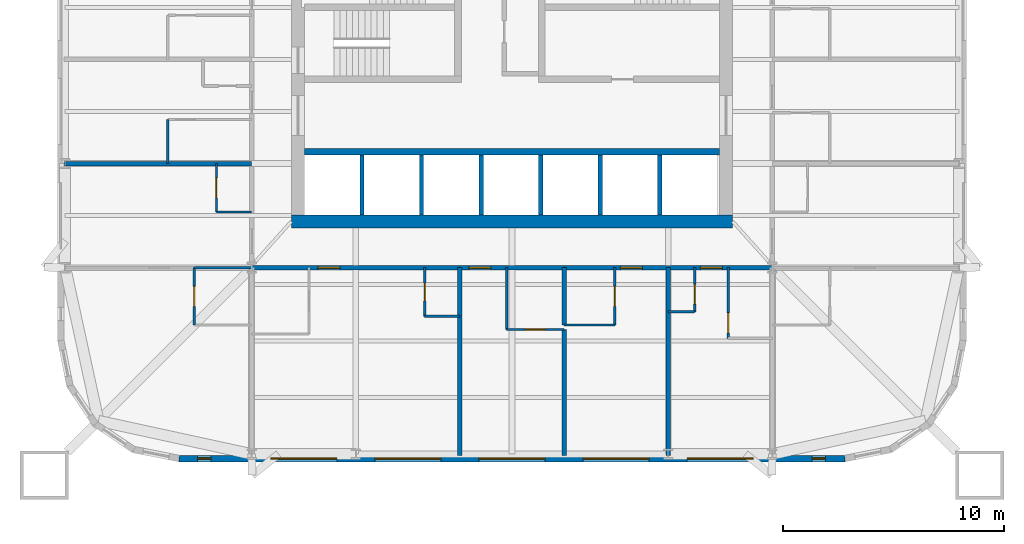
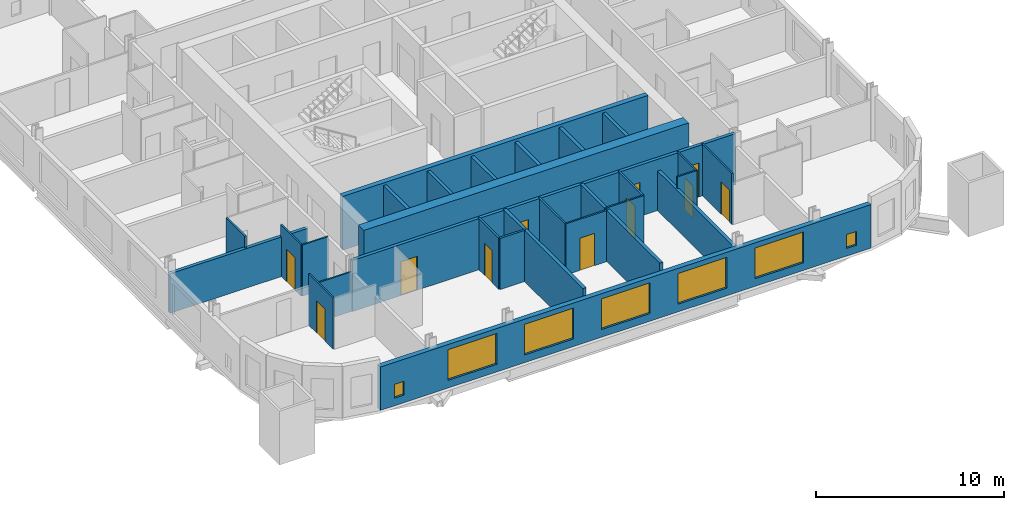
# One storey, part 3 of 9: 29 walls, 11 doors, 7 windows, 18 openings.
"""IFC4 building model written with IfcOpenShell, lengths in metres."""

from ifc_helpers import new_model, si_unit, direction, frame, frame_2d, origin, place, context, subcontext, project, spatial, rectangle, extrude, material, layer, layer_set, type_object, element, fill, save


model = new_model("IFC4")

# Units and contexts
model_context = context("Model", 3, precision=1e-05, world=origin(), true_north=direction((0.0, 1.0)))
body_context = subcontext(model_context, "Body", "Model", "MODEL_VIEW")
ifc_project = project(units=[si_unit("LENGTHUNIT", "METRE"), si_unit("AREAUNIT", "SQUARE_METRE"), si_unit("VOLUMEUNIT", "CUBIC_METRE"), si_unit("PLANEANGLEUNIT", "RADIAN"), si_unit("MASSUNIT", "GRAM", prefix="KILO")], contexts=[model_context])

# Site, building, storey
site_placement = place(None, origin())
site = spatial("IfcSite", under=ifc_project, at=site_placement, CompositionType="ELEMENT")
building_placement = place(site_placement, origin())
building = spatial("IfcBuilding", under=site, at=building_placement, Name="Turquesa Mirador Hotel Tower", CompositionType="ELEMENT")
storey_placement = place(building_placement, frame((0.0, 0.0, 142.39990234375)))
storey = spatial("IfcBuildingStorey", under=building, at=storey_placement, Name="L38", CompositionType="ELEMENT", Elevation=142.39990234375)

# Walls
ifc_material_1 = material(Name="Gypsum board on steel studs", Category="steel")
ifc_layer_1 = layer(ifc_material_1, 0.10009765625)
ifc_layer_set_1 = layer_set([ifc_layer_1], Name="BATHROOM WALL 100")
wall_type_1 = type_object("IfcWallType", Name="BATHROOM WALL 100", PredefinedType="PARTITIONING", material=ifc_layer_set_1)
wall_1_placement = place(storey_placement, frame((40.60009765625, 33.199951171875, 0.0), z_axis=(0.0, 0.0, 1.0), x_axis=(1.0, 0.0, 0.0)))
element("IfcWall", 1, at=wall_1_placement, inside=storey, type_object=wall_type_1, Name="Partition L38 003", PredefinedType="PARTITIONING", context=body_context, shape_type="SweptSolid", body=[
    extrude(rectangle(XDim=2.599853515625, YDim=0.10009765625, at=frame_2d((1.2998046875, 0.0))), origin(), (0.0, 0.0, 1.0), 2.5732421875),
])
wall_2_placement = place(storey_placement, frame((62.080078125, 31.199951171875, 0.0), z_axis=(0.0, 0.0, 1.0), x_axis=(1.0, 0.0, 0.0)))
element("IfcWall", 2, at=wall_2_placement, inside=storey, type_object=wall_type_1, Name="Partition L38 008", PredefinedType="PARTITIONING", context=body_context, shape_type="SweptSolid", body=[
    extrude(rectangle(XDim=1.199951171875, YDim=0.10009765625, at=frame_2d((0.60009765625, 0.0))), origin(), (0.0, 0.0, 1.0), 3.330078125),
])
wall_3_placement = place(storey_placement, frame((57.360107421875, 30.60009765625, 0.0), z_axis=(0.0, 0.0, 1.0), x_axis=(1.0, 0.0, 0.0)))
element("IfcWall", 3, at=wall_3_placement, inside=storey, type_object=wall_type_1, Name="Partition L38 011", PredefinedType="PARTITIONING", context=body_context, shape_type="SweptSolid", body=[
    extrude(rectangle(XDim=2.2998046875, YDim=0.10009765625, at=frame_2d((1.14990234375, 0.0))), origin(), (0.0, 0.0, 1.0), 3.330078125),
])

# Wall, opening, door
wall_4_placement = place(storey_placement, frame((54.760009765625, 30.39990234375, 0.0), z_axis=(0.0, 0.0, 1.0), x_axis=(1.0, 0.0, 0.0)))
wall_4 = element("IfcWall", 4, at=wall_4_placement, inside=storey, type_object=wall_type_1, Name="Partition L38 013", PredefinedType="PARTITIONING", context=body_context, shape_type="SweptSolid", body=[
    extrude(rectangle(XDim=2.60009765625, YDim=0.10009765625, at=frame_2d((1.300048828125, 0.0))), origin(), (0.0, 0.0, 1.0), 3.330078125),
])
opening_1_placement = place(wall_4_placement, frame((0.85009765625, 0.0, 0.0)))
opening_1 = element("IfcOpeningElement", 5, at=opening_1_placement, cuts=wall_4, Name="Opening D02", PredefinedType="OPENING", context=body_context, shape_type="SweptSolid", body=[
    extrude(rectangle(XDim=0.89990234375, YDim=2.10009765625, at=frame_2d((0.449951171875, 1.050048828125))), frame((0.0, 0.06005859375, 0.0), z_axis=(0.0, -1.0, 0.0), x_axis=(1.0, 0.0, 0.0)), (0.0, 0.0, 1.0), 0.1201171875),
])
ifc_material_2 = material(Name="Timber veneered door", Category="wood")
door_type_1 = type_object("IfcDoorType", Name="DOOR 900X2100 EN-SUITE", OperationType="SINGLE_SWING_RIGHT", PredefinedType="DOOR", material=ifc_material_2)
door_1_placement = place(opening_1_placement, origin())
door_1 = element("IfcDoor", 6, at=door_1_placement, inside=storey, type_object=door_type_1, Name="Door 3805B", OperationType="SINGLE_SWING_RIGHT", OverallHeight=2.10009765625, OverallWidth=0.89990234375, PredefinedType="DOOR", context=body_context, shape_type="SweptSolid", body=[
    extrude(rectangle(XDim=0.89990234375, YDim=2.10009765625, at=frame_2d((0.449951171875, 1.050048828125))), frame((0.0, 0.02490234375, 0.0), z_axis=(0.0, -1.0, 0.0), x_axis=(1.0, 0.0, 0.0)), (0.0, 0.0, 1.0), 0.050048828125),
])
fill(opening_1, door_1)

# Walls
wall_5_placement = place(storey_placement, frame((41.60009765625, 35.719970703125, 0.0), z_axis=(0.0, 0.0, 1.0), x_axis=(1.0, 0.0, 0.0)))
element("IfcWall", 7, at=wall_5_placement, inside=storey, type_object=wall_type_1, Name="Partition L38 023", PredefinedType="PARTITIONING", context=body_context, shape_type="SweptSolid", body=[
    extrude(rectangle(XDim=1.599853515625, YDim=0.10009765625, at=frame_2d((0.7998046875, 0.0))), origin(), (0.0, 0.0, 1.0), 3.330078125),
])
wall_6_placement = place(storey_placement, frame((54.760009765625, 30.39990234375, 0.0), z_axis=(0.0, 0.0, 1.0), x_axis=(0.0, 1.0, 0.0)))
element("IfcWall", 8, at=wall_6_placement, inside=storey, type_object=wall_type_1, Name="Partition L38 048", PredefinedType="PARTITIONING", context=body_context, shape_type="SweptSolid", body=[
    extrude(rectangle(XDim=2.800048828125, YDim=0.10009765625, at=frame_2d((1.39990234375, 0.0))), origin(), (0.0, 0.0, 1.0), 3.330078125),
])

# Wall, opening, door
wall_7_placement = place(storey_placement, frame((41.60009765625, 35.719970703125, 0.0), z_axis=(0.0, 0.0, 1.0), x_axis=(0.0, 1.0, 0.0)))
wall_7 = element("IfcWall", 9, at=wall_7_placement, inside=storey, type_object=wall_type_1, Name="Partition L38 054", PredefinedType="PARTITIONING", context=body_context, shape_type="SweptSolid", body=[
    extrude(rectangle(XDim=2.199951171875, YDim=0.10009765625, at=frame_2d((1.10009765625, 0.0))), origin(), (0.0, 0.0, 1.0), 3.330078125),
])
opening_2_placement = place(wall_7_placement, frame((0.64990234375, 0.0, 0.0)))
opening_2 = element("IfcOpeningElement", 10, at=opening_2_placement, cuts=wall_7, Name="Opening D06", PredefinedType="OPENING", context=body_context, shape_type="SweptSolid", body=[
    extrude(rectangle(XDim=0.89990234375, YDim=2.10009765625, at=frame_2d((0.449951171875, 1.050048828125))), frame((0.0, 0.06005859375, 0.0), z_axis=(0.0, -1.0, 0.0), x_axis=(1.0, 0.0, 0.0)), (0.0, 0.0, 1.0), 0.1201171875),
])
ifc_material_3 = material(Name="Laminate door", Category="wood")
door_type_2 = type_object("IfcDoorType", Name="DOOR 900X2100 WC", OperationType="SINGLE_SWING_LEFT", PredefinedType="DOOR", material=ifc_material_3)
door_2_placement = place(opening_2_placement, origin())
door_2 = element("IfcDoor", 11, at=door_2_placement, inside=storey, type_object=door_type_2, Name="Door 3816W", OperationType="SINGLE_SWING_LEFT", OverallHeight=2.10009765625, OverallWidth=0.89990234375, PredefinedType="DOOR", context=body_context, shape_type="SweptSolid", body=[
    extrude(rectangle(XDim=0.89990234375, YDim=2.10009765625, at=frame_2d((0.449951171875, 1.050048828125))), frame((0.0, 0.02490234375, 0.0), z_axis=(0.0, -1.0, 0.0), x_axis=(1.0, 0.0, 0.0)), (0.0, 0.0, 1.0), 0.050048828125),
])
fill(opening_2, door_2)

wall_8_placement = place(storey_placement, frame((40.60009765625, 30.60009765625, 0.0), z_axis=(0.0, 0.0, 1.0), x_axis=(0.0, 1.0, 0.0)))
wall_8 = element("IfcWall", 12, at=wall_8_placement, inside=storey, type_object=wall_type_1, Name="Partition L38 059", PredefinedType="PARTITIONING", context=body_context, shape_type="SweptSolid", body=[
    extrude(rectangle(XDim=2.599853515625, YDim=0.10009765625, at=frame_2d((1.2998046875, 0.0))), origin(), (0.0, 0.0, 1.0), 3.330078125),
])
opening_3_placement = place(wall_8_placement, frame((0.85009765625, 0.0, 0.0)))
opening_3 = element("IfcOpeningElement", 13, at=opening_3_placement, cuts=wall_8, Name="Opening D02", PredefinedType="OPENING", context=body_context, shape_type="SweptSolid", body=[
    extrude(rectangle(XDim=0.89990234375, YDim=2.10009765625, at=frame_2d((0.449951171875, 1.050048828125))), frame((0.0, 0.06005859375, 0.0), z_axis=(0.0, -1.0, 0.0), x_axis=(1.0, 0.0, 0.0)), (0.0, 0.0, 1.0), 0.1201171875),
])
door_3_placement = place(opening_3_placement, origin())
door_3 = element("IfcDoor", 14, at=door_3_placement, inside=storey, type_object=door_type_1, Name="Door 3816B", OperationType="SINGLE_SWING_RIGHT", OverallHeight=2.10009765625, OverallWidth=0.89990234375, PredefinedType="DOOR", context=body_context, shape_type="SweptSolid", body=[
    extrude(rectangle(XDim=0.89990234375, YDim=2.10009765625, at=frame_2d((0.449951171875, 1.050048828125))), frame((0.0, 0.02490234375, 0.0), z_axis=(0.0, -1.0, 0.0), x_axis=(1.0, 0.0, 0.0)), (0.0, 0.0, 1.0), 0.050048828125),
])
fill(opening_3, door_3)

# Wall
wall_9_placement = place(storey_placement, frame((39.39990234375, 37.919921875, 0.0), z_axis=(0.0, 0.0, 1.0), x_axis=(0.0, 1.0, 0.0)))
element("IfcWall", 15, at=wall_9_placement, inside=storey, type_object=wall_type_1, Name="Partition L38 062", PredefinedType="PARTITIONING", context=body_context, shape_type="SweptSolid", body=[
    extrude(rectangle(XDim=2.0, YDim=0.10009765625, at=frame_2d((1.0, 0.0))), origin(), (0.0, 0.0, 1.0), 3.330078125),
])

# Wall, opening, door
wall_10_placement = place(storey_placement, frame((59.659912109375, 30.60009765625, 0.0), z_axis=(0.0, 0.0, 1.0), x_axis=(0.0, 1.0, 0.0)))
wall_10 = element("IfcWall", 16, at=wall_10_placement, inside=storey, type_object=wall_type_1, Name="Partition L38 083", PredefinedType="PARTITIONING", context=body_context, shape_type="SweptSolid", body=[
    extrude(rectangle(XDim=2.599853515625, YDim=0.10009765625, at=frame_2d((1.2998046875, 0.0))), origin(), (0.0, 0.0, 1.0), 3.330078125),
])
opening_4_placement = place(wall_10_placement, frame((0.85009765625, 0.0, 0.0)))
opening_4 = element("IfcOpeningElement", 17, at=opening_4_placement, cuts=wall_10, Name="Opening D02", PredefinedType="OPENING", context=body_context, shape_type="SweptSolid", body=[
    extrude(rectangle(XDim=0.89990234375, YDim=2.10009765625, at=frame_2d((0.449951171875, 1.050048828125))), frame((0.0, 0.06005859375, 0.0), z_axis=(0.0, -1.0, 0.0), x_axis=(1.0, 0.0, 0.0)), (0.0, 0.0, 1.0), 0.1201171875),
])
door_4_placement = place(opening_4_placement, origin())
door_4 = element("IfcDoor", 18, at=door_4_placement, inside=storey, type_object=door_type_1, Name="Door 3806B", OperationType="SINGLE_SWING_RIGHT", OverallHeight=2.10009765625, OverallWidth=0.89990234375, PredefinedType="DOOR", context=body_context, shape_type="SweptSolid", body=[
    extrude(rectangle(XDim=0.89990234375, YDim=2.10009765625, at=frame_2d((0.449951171875, 1.050048828125))), frame((0.0, 0.02490234375, 0.0), z_axis=(0.0, -1.0, 0.0), x_axis=(1.0, 0.0, 0.0)), (0.0, 0.0, 1.0), 0.050048828125),
])
fill(opening_4, door_4)

wall_11_placement = place(storey_placement, frame((63.280029296875, 31.199951171875, 0.0), z_axis=(0.0, 0.0, 1.0), x_axis=(0.0, 1.0, 0.0)))
wall_11 = element("IfcWall", 19, at=wall_11_placement, inside=storey, type_object=wall_type_1, Name="Partition L38 086", PredefinedType="PARTITIONING", context=body_context, shape_type="SweptSolid", body=[
    extrude(rectangle(XDim=2.0, YDim=0.10009765625, at=frame_2d((1.0, 0.0))), origin(), (0.0, 0.0, 1.0), 3.330078125),
])
opening_5_placement = place(wall_11_placement, frame((0.35009765625, 0.0, 0.0)))
opening_5 = element("IfcOpeningElement", 20, at=opening_5_placement, cuts=wall_11, Name="Opening D06", PredefinedType="OPENING", context=body_context, shape_type="SweptSolid", body=[
    extrude(rectangle(XDim=0.89990234375, YDim=2.10009765625, at=frame_2d((0.449951171875, 1.050048828125))), frame((0.0, 0.06005859375, 0.0), z_axis=(0.0, -1.0, 0.0), x_axis=(1.0, 0.0, 0.0)), (0.0, 0.0, 1.0), 0.1201171875),
])
door_5_placement = place(opening_5_placement, origin())
door_5 = element("IfcDoor", 21, at=door_5_placement, inside=storey, type_object=door_type_2, Name="Door 3807W", OperationType="SINGLE_SWING_LEFT", OverallHeight=2.10009765625, OverallWidth=0.89990234375, PredefinedType="DOOR", context=body_context, shape_type="SweptSolid", body=[
    extrude(rectangle(XDim=0.89990234375, YDim=2.10009765625, at=frame_2d((0.449951171875, 1.050048828125))), frame((0.0, 0.02490234375, 0.0), z_axis=(0.0, -1.0, 0.0), x_axis=(1.0, 0.0, 0.0)), (0.0, 0.0, 1.0), 0.050048828125),
])
fill(opening_5, door_5)

wall_12_placement = place(storey_placement, frame((64.800048828125, 30.0, 0.0), z_axis=(0.0, 0.0, 1.0), x_axis=(0.0, 1.0, 0.0)))
wall_12 = element("IfcWall", 22, at=wall_12_placement, inside=storey, type_object=wall_type_1, Name="Partition L38 088", PredefinedType="PARTITIONING", context=body_context, shape_type="SweptSolid", body=[
    extrude(rectangle(XDim=3.199951171875, YDim=0.10009765625, at=frame_2d((1.60009765625, 0.0))), origin(), (0.0, 0.0, 1.0), 3.330078125),
])
opening_6_placement = place(wall_12_placement, frame((0.25, 0.0, 0.0)))
opening_6 = element("IfcOpeningElement", 23, at=opening_6_placement, cuts=wall_12, Name="Opening D02", PredefinedType="OPENING", context=body_context, shape_type="SweptSolid", body=[
    extrude(rectangle(XDim=0.89990234375, YDim=2.10009765625, at=frame_2d((0.449951171875, 1.050048828125))), frame((0.0, 0.06005859375, 0.0), z_axis=(0.0, -1.0, 0.0), x_axis=(1.0, 0.0, 0.0)), (0.0, 0.0, 1.0), 0.1201171875),
])
door_6_placement = place(opening_6_placement, origin())
door_6 = element("IfcDoor", 24, at=door_6_placement, inside=storey, type_object=door_type_1, Name="Door 3807B", OperationType="SINGLE_SWING_RIGHT", OverallHeight=2.10009765625, OverallWidth=0.89990234375, PredefinedType="DOOR", context=body_context, shape_type="SweptSolid", body=[
    extrude(rectangle(XDim=0.89990234375, YDim=2.10009765625, at=frame_2d((0.449951171875, 1.050048828125))), frame((0.0, 0.02490234375, 0.0), z_axis=(0.0, -1.0, 0.0), x_axis=(1.0, 0.0, 0.0)), (0.0, 0.0, 1.0), 0.050048828125),
])
fill(opening_6, door_6)

# Walls
ifc_material_4 = material(Name="Concrete C50/60", Category="concrete")
ifc_layer_2 = layer(ifc_material_4, 0.300048828125)
ifc_layer_set_2 = layer_set([ifc_layer_2], Name="CORE INNER WALL 300")
wall_type_2 = type_object("IfcWallType", Name="CORE INNER WALL 300", PredefinedType="SHEAR", material=ifc_layer_set_2)
wall_13_placement = place(storey_placement, frame((45.60009765625, 38.449951171875, 0.0), z_axis=(0.0, 0.0, 1.0), x_axis=(1.0, 0.0, 0.0)))
element("IfcWall", 25, at=wall_13_placement, inside=storey, type_object=wall_type_2, Name="Core wall SL", PredefinedType="SHEAR", context=body_context, shape_type="SweptSolid", body=[
    extrude(rectangle(XDim=18.7998046875, YDim=0.300048828125, at=frame_2d((9.39990234375, 0.0))), origin(), (0.0, 0.0, 1.0), 3.5),
])
ifc_material_5 = material(Name="Concrete C50/60", Category="concrete")
ifc_layer_3 = layer(ifc_material_5, 0.60009765625)
ifc_layer_set_3 = layer_set([ifc_layer_3], Name="CORE WALL 600")
wall_type_3 = type_object("IfcWallType", Name="CORE WALL 600", PredefinedType="SHEAR", material=ifc_layer_set_3)
wall_14_placement = place(storey_placement, frame((45.0, 35.300048828125, 0.0), z_axis=(0.0, 0.0, 1.0), x_axis=(1.0, 0.0, 0.0)))
element("IfcWall", 26, at=wall_14_placement, inside=storey, type_object=wall_type_3, Name="Core wall S", PredefinedType="SHEAR", context=body_context, shape_type="SweptSolid", body=[
    extrude(rectangle(XDim=20.0, YDim=0.60009765625, at=frame_2d((10.0, 0.0))), origin(), (0.0, 0.0, 1.0), 3.5),
])

# Wall, openings, doors
ifc_material_6 = material(Name="Fire-rated gypsum board on steel studs", Category="steel")
ifc_layer_4 = layer(ifc_material_6, 0.199951171875)
ifc_layer_set_4 = layer_set([ifc_layer_4], Name="CORRIDOR WALL 200")
wall_type_4 = type_object("IfcWallType", Name="CORRIDOR WALL 200", PredefinedType="PARTITIONING", material=ifc_layer_set_4)
wall_15_placement = place(storey_placement, frame((43.199951171875, 33.199951171875, 0.0), z_axis=(0.0, 0.0, 1.0), x_axis=(1.0, 0.0, 0.0)))
wall_15 = element("IfcWall", 27, at=wall_15_placement, inside=storey, type_object=wall_type_4, Name="Partition L38 005", PredefinedType="PARTITIONING", context=body_context, shape_type="SweptSolid", body=[
    extrude(rectangle(XDim=23.60009765625, YDim=0.199951171875, at=frame_2d((11.800048828125, 0.0))), origin(), (0.0, 0.0, 1.0), 3.330078125),
])
opening_7_placement = place(wall_15_placement, frame((3.0, 0.0, 0.0)))
opening_7 = element("IfcOpeningElement", 28, at=opening_7_placement, cuts=wall_15, Name="Opening D01", PredefinedType="OPENING", context=body_context, shape_type="SweptSolid", body=[
    extrude(rectangle(XDim=1.0, YDim=2.199951171875, at=frame_2d((0.5, 1.10009765625))), frame((0.0, 0.10986328125, 0.0), z_axis=(0.0, -1.0, 0.0), x_axis=(1.0, 0.0, 0.0)), (0.0, 0.0, 1.0), 0.219970703125),
])
opening_8_placement = place(wall_15_placement, frame((9.840087890625, 0.0, 0.0)))
opening_8 = element("IfcOpeningElement", 29, at=opening_8_placement, cuts=wall_15, Name="Opening D01", PredefinedType="OPENING", context=body_context, shape_type="SweptSolid", body=[
    extrude(rectangle(XDim=1.0, YDim=2.199951171875, at=frame_2d((0.5, 1.10009765625))), frame((0.0, 0.10986328125, 0.0), z_axis=(0.0, -1.0, 0.0), x_axis=(1.0, 0.0, 0.0)), (0.0, 0.0, 1.0), 0.219970703125),
])
opening_9_placement = place(wall_15_placement, frame((16.7099609375, 0.0, 0.0)))
opening_9 = element("IfcOpeningElement", 30, at=opening_9_placement, cuts=wall_15, Name="Opening D01", PredefinedType="OPENING", context=body_context, shape_type="SweptSolid", body=[
    extrude(rectangle(XDim=1.0, YDim=2.199951171875, at=frame_2d((0.5, 1.10009765625))), frame((0.0, 0.10986328125, 0.0), z_axis=(0.0, -1.0, 0.0), x_axis=(1.0, 0.0, 0.0)), (0.0, 0.0, 1.0), 0.219970703125),
])
opening_10_placement = place(wall_15_placement, frame((20.340087890625, 0.0, 0.0)))
opening_10 = element("IfcOpeningElement", 31, at=opening_10_placement, cuts=wall_15, Name="Opening D01", PredefinedType="OPENING", context=body_context, shape_type="SweptSolid", body=[
    extrude(rectangle(XDim=1.0, YDim=2.199951171875, at=frame_2d((0.5, 1.10009765625))), frame((0.0, 0.10986328125, 0.0), z_axis=(0.0, -1.0, 0.0), x_axis=(1.0, 0.0, 0.0)), (0.0, 0.0, 1.0), 0.219970703125),
])
ifc_material_7 = material(Name="Timber veneered fire door", Category="wood")
door_type_3 = type_object("IfcDoorType", Name="DOOR 1000X2200 GUEST ENTRY", OperationType="SINGLE_SWING_LEFT", PredefinedType="DOOR", material=ifc_material_7)
door_7_placement = place(opening_7_placement, origin())
door_7 = element("IfcDoor", 32, at=door_7_placement, inside=storey, type_object=door_type_3, Name="Door 3804", OperationType="SINGLE_SWING_LEFT", OverallHeight=2.199951171875, OverallWidth=1.0, PredefinedType="DOOR", context=body_context, shape_type="SweptSolid", body=[
    extrude(rectangle(XDim=1.0, YDim=2.199951171875, at=frame_2d((0.5, 1.10009765625))), frame((0.0, 0.02490234375, 0.0), z_axis=(0.0, -1.0, 0.0), x_axis=(1.0, 0.0, 0.0)), (0.0, 0.0, 1.0), 0.050048828125),
])
fill(opening_7, door_7)
door_8_placement = place(opening_8_placement, origin())
door_8 = element("IfcDoor", 33, at=door_8_placement, inside=storey, type_object=door_type_3, Name="Door 3805", OperationType="SINGLE_SWING_LEFT", OverallHeight=2.199951171875, OverallWidth=1.0, PredefinedType="DOOR", context=body_context, shape_type="SweptSolid", body=[
    extrude(rectangle(XDim=1.0, YDim=2.199951171875, at=frame_2d((0.5, 1.10009765625))), frame((0.0, 0.02490234375, 0.0), z_axis=(0.0, -1.0, 0.0), x_axis=(1.0, 0.0, 0.0)), (0.0, 0.0, 1.0), 0.050048828125),
])
fill(opening_8, door_8)
door_9_placement = place(opening_9_placement, origin())
door_9 = element("IfcDoor", 34, at=door_9_placement, inside=storey, type_object=door_type_3, Name="Door 3806", OperationType="SINGLE_SWING_LEFT", OverallHeight=2.199951171875, OverallWidth=1.0, PredefinedType="DOOR", context=body_context, shape_type="SweptSolid", body=[
    extrude(rectangle(XDim=1.0, YDim=2.199951171875, at=frame_2d((0.5, 1.10009765625))), frame((0.0, 0.02490234375, 0.0), z_axis=(0.0, -1.0, 0.0), x_axis=(1.0, 0.0, 0.0)), (0.0, 0.0, 1.0), 0.050048828125),
])
fill(opening_9, door_9)
door_10_placement = place(opening_10_placement, origin())
door_10 = element("IfcDoor", 35, at=door_10_placement, inside=storey, type_object=door_type_3, Name="Door 3807", OperationType="SINGLE_SWING_LEFT", OverallHeight=2.199951171875, OverallWidth=1.0, PredefinedType="DOOR", context=body_context, shape_type="SweptSolid", body=[
    extrude(rectangle(XDim=1.0, YDim=2.199951171875, at=frame_2d((0.5, 1.10009765625))), frame((0.0, 0.02490234375, 0.0), z_axis=(0.0, -1.0, 0.0), x_axis=(1.0, 0.0, 0.0)), (0.0, 0.0, 1.0), 0.050048828125),
])
fill(opening_10, door_10)

# Wall, openings, windows
ifc_material_8 = material(Name="Limestone cladding on concrete block", Category="masonry")
ifc_layer_5 = layer(ifc_material_8, 0.300048828125)
ifc_layer_set_5 = layer_set([ifc_layer_5], Name="FACADE WALL 300 STONE SCREEN")
wall_type_5 = type_object("IfcWallType", Name="FACADE WALL 300 STONE SCREEN", PredefinedType="SOLIDWALL", material=ifc_layer_set_5)
wall_16_placement = place(storey_placement, frame((39.89990234375, 24.550048828125, 0.0), z_axis=(0.0, 0.0, 1.0), x_axis=(1.0, 0.0, 0.0)))
wall_16 = element("IfcWall", 36, at=wall_16_placement, inside=storey, type_object=wall_type_5, Name="Facade wall L38 19", PredefinedType="SOLIDWALL", context=body_context, shape_type="SweptSolid", body=[
    extrude(rectangle(XDim=30.2001953125, YDim=0.300048828125, at=frame_2d((15.10009765625, 0.0))), origin(), (0.0, 0.0, 1.0), 2.830078125),
])
opening_11_placement = place(wall_16_placement, frame((0.85009765625, 0.0, 0.5)))
opening_11 = element("IfcOpeningElement", 37, at=opening_11_placement, cuts=wall_16, Name="Opening WN25", PredefinedType="OPENING", context=body_context, shape_type="SweptSolid", body=[
    extrude(rectangle(XDim=0.60009765625, YDim=0.89990234375, at=frame_2d((0.300048828125, 0.449951171875))), frame((0.0, 0.159912109375, 0.0), z_axis=(0.0, -1.0, 0.0), x_axis=(1.0, 0.0, 0.0)), (0.0, 0.0, 1.0), 0.320068359375),
])
opening_12_placement = place(wall_16_placement, frame((4.159912109375, 0.0, 0.5)))
opening_12 = element("IfcOpeningElement", 38, at=opening_12_placement, cuts=wall_16, Name="Opening WN1", PredefinedType="OPENING", context=body_context, shape_type="SweptSolid", body=[
    extrude(rectangle(XDim=3.0, YDim=2.0, at=frame_2d((1.5, 1.0))), frame((0.0, 0.159912109375, 0.0), z_axis=(0.0, -1.0, 0.0), x_axis=(1.0, 0.0, 0.0)), (0.0, 0.0, 1.0), 0.320068359375),
])
opening_13_placement = place(wall_16_placement, frame((8.8798828125, 0.0, 0.5)))
opening_13 = element("IfcOpeningElement", 39, at=opening_13_placement, cuts=wall_16, Name="Opening WN1", PredefinedType="OPENING", context=body_context, shape_type="SweptSolid", body=[
    extrude(rectangle(XDim=3.0, YDim=2.0, at=frame_2d((1.5, 1.0))), frame((0.0, 0.159912109375, 0.0), z_axis=(0.0, -1.0, 0.0), x_axis=(1.0, 0.0, 0.0)), (0.0, 0.0, 1.0), 0.320068359375),
])
opening_14_placement = place(wall_16_placement, frame((13.60009765625, 0.0, 0.5)))
opening_14 = element("IfcOpeningElement", 40, at=opening_14_placement, cuts=wall_16, Name="Opening WN1", PredefinedType="OPENING", context=body_context, shape_type="SweptSolid", body=[
    extrude(rectangle(XDim=3.0, YDim=2.0, at=frame_2d((1.5, 1.0))), frame((0.0, 0.159912109375, 0.0), z_axis=(0.0, -1.0, 0.0), x_axis=(1.0, 0.0, 0.0)), (0.0, 0.0, 1.0), 0.320068359375),
])
opening_15_placement = place(wall_16_placement, frame((18.320068359375, 0.0, 0.5)))
opening_15 = element("IfcOpeningElement", 41, at=opening_15_placement, cuts=wall_16, Name="Opening WN1", PredefinedType="OPENING", context=body_context, shape_type="SweptSolid", body=[
    extrude(rectangle(XDim=3.0, YDim=2.0, at=frame_2d((1.5, 1.0))), frame((0.0, 0.159912109375, 0.0), z_axis=(0.0, -1.0, 0.0), x_axis=(1.0, 0.0, 0.0)), (0.0, 0.0, 1.0), 0.320068359375),
])
opening_16_placement = place(wall_16_placement, frame((23.0400390625, 0.0, 0.5)))
opening_16 = element("IfcOpeningElement", 42, at=opening_16_placement, cuts=wall_16, Name="Opening WN1", PredefinedType="OPENING", context=body_context, shape_type="SweptSolid", body=[
    extrude(rectangle(XDim=3.0, YDim=2.0, at=frame_2d((1.5, 1.0))), frame((0.0, 0.159912109375, 0.0), z_axis=(0.0, -1.0, 0.0), x_axis=(1.0, 0.0, 0.0)), (0.0, 0.0, 1.0), 0.320068359375),
])
opening_17_placement = place(wall_16_placement, frame((28.699951171875, 0.0, 0.5)))
opening_17 = element("IfcOpeningElement", 43, at=opening_17_placement, cuts=wall_16, Name="Opening WN25", PredefinedType="OPENING", context=body_context, shape_type="SweptSolid", body=[
    extrude(rectangle(XDim=0.60009765625, YDim=0.89990234375, at=frame_2d((0.300048828125, 0.449951171875))), frame((0.0, 0.159912109375, 0.0), z_axis=(0.0, -1.0, 0.0), x_axis=(1.0, 0.0, 0.0)), (0.0, 0.0, 1.0), 0.320068359375),
])
ifc_material_9 = material(Name="Ceramic-fritted laminated glass", Category="glass")
window_type_1 = type_object("IfcWindowType", Name="FRITTED WINDOW 3000X2000", PartitioningType="DOUBLE_PANEL_HORIZONTAL", PredefinedType="WINDOW", material=ifc_material_9)
window_1_placement = place(opening_12_placement, origin())
window_1 = element("IfcWindow", 44, at=window_1_placement, inside=storey, type_object=window_type_1, Name="Window L38", OverallHeight=2.0, OverallWidth=3.0, PartitioningType="SINGLE_PANEL", PredefinedType="WINDOW", context=body_context, shape_type="SweptSolid", body=[
    extrude(rectangle(XDim=3.0, YDim=2.0, at=frame_2d((1.5, 1.0))), frame((0.0, 0.030029296875, 0.0), z_axis=(0.0, -1.0, 0.0), x_axis=(1.0, 0.0, 0.0)), (0.0, 0.0, 1.0), 0.06005859375),
])
fill(opening_12, window_1)
window_2_placement = place(opening_13_placement, origin())
window_2 = element("IfcWindow", 45, at=window_2_placement, inside=storey, type_object=window_type_1, Name="Window L38", OverallHeight=2.0, OverallWidth=3.0, PartitioningType="SINGLE_PANEL", PredefinedType="WINDOW", context=body_context, shape_type="SweptSolid", body=[
    extrude(rectangle(XDim=3.0, YDim=2.0, at=frame_2d((1.5, 1.0))), frame((0.0, 0.030029296875, 0.0), z_axis=(0.0, -1.0, 0.0), x_axis=(1.0, 0.0, 0.0)), (0.0, 0.0, 1.0), 0.06005859375),
])
fill(opening_13, window_2)
window_3_placement = place(opening_14_placement, origin())
window_3 = element("IfcWindow", 46, at=window_3_placement, inside=storey, type_object=window_type_1, Name="Window L38", OverallHeight=2.0, OverallWidth=3.0, PartitioningType="SINGLE_PANEL", PredefinedType="WINDOW", context=body_context, shape_type="SweptSolid", body=[
    extrude(rectangle(XDim=3.0, YDim=2.0, at=frame_2d((1.5, 1.0))), frame((0.0, 0.030029296875, 0.0), z_axis=(0.0, -1.0, 0.0), x_axis=(1.0, 0.0, 0.0)), (0.0, 0.0, 1.0), 0.06005859375),
])
fill(opening_14, window_3)
window_4_placement = place(opening_15_placement, origin())
window_4 = element("IfcWindow", 47, at=window_4_placement, inside=storey, type_object=window_type_1, Name="Window L38", OverallHeight=2.0, OverallWidth=3.0, PartitioningType="SINGLE_PANEL", PredefinedType="WINDOW", context=body_context, shape_type="SweptSolid", body=[
    extrude(rectangle(XDim=3.0, YDim=2.0, at=frame_2d((1.5, 1.0))), frame((0.0, 0.030029296875, 0.0), z_axis=(0.0, -1.0, 0.0), x_axis=(1.0, 0.0, 0.0)), (0.0, 0.0, 1.0), 0.06005859375),
])
fill(opening_15, window_4)
window_5_placement = place(opening_16_placement, origin())
window_5 = element("IfcWindow", 48, at=window_5_placement, inside=storey, type_object=window_type_1, Name="Window L38", OverallHeight=2.0, OverallWidth=3.0, PartitioningType="SINGLE_PANEL", PredefinedType="WINDOW", context=body_context, shape_type="SweptSolid", body=[
    extrude(rectangle(XDim=3.0, YDim=2.0, at=frame_2d((1.5, 1.0))), frame((0.0, 0.030029296875, 0.0), z_axis=(0.0, -1.0, 0.0), x_axis=(1.0, 0.0, 0.0)), (0.0, 0.0, 1.0), 0.06005859375),
])
fill(opening_16, window_5)
ifc_material_10 = material(Name="Ceramic-fritted laminated glass", Category="glass")
window_type_2 = type_object("IfcWindowType", Name="FRITTED WINDOW 600X900", PartitioningType="DOUBLE_PANEL_HORIZONTAL", PredefinedType="WINDOW", material=ifc_material_10)
window_6_placement = place(opening_11_placement, origin())
window_6 = element("IfcWindow", 49, at=window_6_placement, inside=storey, type_object=window_type_2, Name="Window L38", OverallHeight=0.89990234375, OverallWidth=0.60009765625, PartitioningType="SINGLE_PANEL", PredefinedType="WINDOW", context=body_context, shape_type="SweptSolid", body=[
    extrude(rectangle(XDim=0.60009765625, YDim=0.89990234375, at=frame_2d((0.300048828125, 0.449951171875))), frame((0.0, 0.030029296875, 0.0), z_axis=(0.0, -1.0, 0.0), x_axis=(1.0, 0.0, 0.0)), (0.0, 0.0, 1.0), 0.06005859375),
])
fill(opening_11, window_6)
window_7_placement = place(opening_17_placement, origin())
window_7 = element("IfcWindow", 50, at=window_7_placement, inside=storey, type_object=window_type_2, Name="Window L38", OverallHeight=0.89990234375, OverallWidth=0.60009765625, PartitioningType="SINGLE_PANEL", PredefinedType="WINDOW", context=body_context, shape_type="SweptSolid", body=[
    extrude(rectangle(XDim=0.60009765625, YDim=0.89990234375, at=frame_2d((0.300048828125, 0.449951171875))), frame((0.0, 0.030029296875, 0.0), z_axis=(0.0, -1.0, 0.0), x_axis=(1.0, 0.0, 0.0)), (0.0, 0.0, 1.0), 0.06005859375),
])
fill(opening_17, window_7)

# Walls
ifc_material_11 = material(Name="Fire-rated gypsum shaft wall on steel studs", Category="steel")
ifc_layer_6 = layer(ifc_material_11, 0.199951171875)
ifc_layer_set_6 = layer_set([ifc_layer_6], Name="LIFT SHAFT DIVIDER 200")
wall_type_6 = type_object("IfcWallType", Name="LIFT SHAFT DIVIDER 200", PredefinedType="PARTITIONING", material=ifc_layer_set_6)
for number, where, z_axis, x_axis, name in (
    (51, (48.199951171875, 35.60009765625, 0.0), (0.0, 0.0, 1.0), (0.0, 1.0, 0.0), "Lift shaft divider"),
    (52, (50.89990234375, 35.60009765625, 0.0), (0.0, 0.0, 1.0), (0.0, 1.0, 0.0), "Lift shaft divider"),
    (53, (53.60009765625, 35.60009765625, 0.0), (0.0, 0.0, 1.0), (0.0, 1.0, 0.0), "Lift shaft divider"),
    (54, (56.300048828125, 35.60009765625, 0.0), (0.0, 0.0, 1.0), (0.0, 1.0, 0.0), "Lift shaft divider"),
    (55, (59.0, 35.60009765625, 0.0), (0.0, 0.0, 1.0), (0.0, 1.0, 0.0), "Lift shaft divider"),
    (56, (61.699951171875, 35.60009765625, 0.0), (0.0, 0.0, 1.0), (0.0, 1.0, 0.0), "Lift shaft divider"),
):
    element("IfcWall", number, at=place(storey_placement, frame(where, z_axis=z_axis, x_axis=x_axis)), inside=storey, type_object=wall_type_6, Name=name, PredefinedType="PARTITIONING", context=body_context, shape_type="SweptSolid", body=[
        extrude(rectangle(XDim=2.699951171875, YDim=0.199951171875, at=frame_2d((1.35009765625, 0.0))), origin(), (0.0, 0.0, 1.0), 3.330078125),
    ])
ifc_material_12 = material(Name="Fire-rated gypsum board on steel studs", Category="steel")
ifc_layer_7 = layer(ifc_material_12, 0.199951171875)
ifc_layer_set_7 = layer_set([ifc_layer_7], Name="PARTY WALL 200")
wall_type_7 = type_object("IfcWallType", Name="PARTY WALL 200", PredefinedType="PARTITIONING", material=ifc_layer_set_7)
wall_17_placement = place(storey_placement, frame((34.699951171875, 37.919921875, 0.0), z_axis=(0.0, 0.0, 1.0), x_axis=(1.0, 0.0, 0.0)))
element("IfcWall", 57, at=wall_17_placement, inside=storey, type_object=wall_type_7, Name="Partition L38 021", PredefinedType="PARTITIONING", context=body_context, shape_type="SweptSolid", body=[
    extrude(rectangle(XDim=8.5, YDim=0.199951171875, at=frame_2d((4.25, 0.0))), origin(), (0.0, 0.0, 1.0), 2.5732421875),
])
wall_18_placement = place(storey_placement, frame((52.639892578125, 24.699951171875, 0.0), z_axis=(0.0, 0.0, 1.0), x_axis=(0.0, 1.0, 0.0)))
element("IfcWall", 58, at=wall_18_placement, inside=storey, type_object=wall_type_7, Name="Partition L38 064", PredefinedType="PARTITIONING", context=body_context, shape_type="SweptSolid", body=[
    extrude(rectangle(XDim=8.5, YDim=0.199951171875, at=frame_2d((4.25, 0.0))), origin(), (0.0, 0.0, 1.0), 3.330078125),
])
wall_19_placement = place(storey_placement, frame((57.360107421875, 24.699951171875, 0.0), z_axis=(0.0, 0.0, 1.0), x_axis=(0.0, 1.0, 0.0)))
element("IfcWall", 59, at=wall_19_placement, inside=storey, type_object=wall_type_7, Name="Partition L38 079", PredefinedType="PARTITIONING", context=body_context, shape_type="SweptSolid", body=[
    extrude(rectangle(XDim=5.699951171875, YDim=0.199951171875, at=frame_2d((2.85009765625, 0.0))), origin(), (0.0, 0.0, 1.0), 3.330078125),
])
wall_20_placement = place(storey_placement, frame((57.360107421875, 30.60009765625, 0.0), z_axis=(0.0, 0.0, 1.0), x_axis=(0.0, 1.0, 0.0)))
element("IfcWall", 60, at=wall_20_placement, inside=storey, type_object=wall_type_7, Name="Partition L38 080", PredefinedType="PARTITIONING", context=body_context, shape_type="SweptSolid", body=[
    extrude(rectangle(XDim=2.599853515625, YDim=0.199951171875, at=frame_2d((1.2998046875, 0.0))), origin(), (0.0, 0.0, 1.0), 3.330078125),
])
wall_21_placement = place(storey_placement, frame((62.080078125, 24.699951171875, 0.0), z_axis=(0.0, 0.0, 1.0), x_axis=(0.0, 1.0, 0.0)))
element("IfcWall", 61, at=wall_21_placement, inside=storey, type_object=wall_type_7, Name="Partition L38 084", PredefinedType="PARTITIONING", context=body_context, shape_type="SweptSolid", body=[
    extrude(rectangle(XDim=8.5, YDim=0.199951171875, at=frame_2d((4.25, 0.0))), origin(), (0.0, 0.0, 1.0), 2.5732421875),
])
ifc_material_13 = material(Name="Acoustic gypsum board on steel studs", Category="steel")
ifc_layer_8 = layer(ifc_material_13, 0.125)
ifc_layer_set_8 = layer_set([ifc_layer_8], Name="SUITE PARTITION 125")
wall_type_8 = type_object("IfcWallType", Name="SUITE PARTITION 125", PredefinedType="PARTITIONING", material=ifc_layer_set_8)
wall_22_placement = place(storey_placement, frame((51.0400390625, 31.0, 0.0), z_axis=(0.0, 0.0, 1.0), x_axis=(1.0, 0.0, 0.0)))
element("IfcWall", 62, at=wall_22_placement, inside=storey, type_object=wall_type_8, Name="Partition L38 009", PredefinedType="PARTITIONING", context=body_context, shape_type="SweptSolid", body=[
    extrude(rectangle(XDim=1.599853515625, YDim=0.125, at=frame_2d((0.7998046875, 0.0))), origin(), (0.0, 0.0, 1.0), 3.330078125),
])

# Wall, opening, door
wall_23_placement = place(storey_placement, frame((51.0400390625, 31.0, 0.0), z_axis=(0.0, 0.0, 1.0), x_axis=(0.0, 1.0, 0.0)))
wall_23 = element("IfcWall", 63, at=wall_23_placement, inside=storey, type_object=wall_type_8, Name="Partition L38 066", PredefinedType="PARTITIONING", context=body_context, shape_type="SweptSolid", body=[
    extrude(rectangle(XDim=2.199951171875, YDim=0.125, at=frame_2d((1.10009765625, 0.0))), origin(), (0.0, 0.0, 1.0), 3.330078125),
])
opening_18_placement = place(wall_23_placement, frame((0.699951171875, 0.0, 0.0)))
opening_18 = element("IfcOpeningElement", 64, at=opening_18_placement, cuts=wall_23, Name="Opening D20", PredefinedType="OPENING", context=body_context, shape_type="SweptSolid", body=[
    extrude(rectangle(XDim=0.800048828125, YDim=2.10009765625, at=frame_2d((0.39990234375, 1.050048828125))), frame((0.0, 0.072509765625, 0.0), z_axis=(0.0, -1.0, 0.0), x_axis=(1.0, 0.0, 0.0)), (0.0, 0.0, 1.0), 0.14501953125),
])
ifc_material_14 = material(Name="Timber veneered sliding door", Category="wood")
door_type_4 = type_object("IfcDoorType", Name="DOOR 800X2100 WARDROBE", OperationType="SLIDING_TO_LEFT", PredefinedType="DOOR", material=ifc_material_14)
door_11_placement = place(opening_18_placement, origin())
door_11 = element("IfcDoor", 65, at=door_11_placement, inside=storey, type_object=door_type_4, Name="Door 3804W", OperationType="SLIDING_TO_LEFT", OverallHeight=2.10009765625, OverallWidth=0.800048828125, PredefinedType="DOOR", context=body_context, shape_type="SweptSolid", body=[
    extrude(rectangle(XDim=0.800048828125, YDim=2.10009765625, at=frame_2d((0.39990234375, 1.050048828125))), frame((0.0, 0.02490234375, 0.0), z_axis=(0.0, -1.0, 0.0), x_axis=(1.0, 0.0, 0.0)), (0.0, 0.0, 1.0), 0.050048828125),
])
fill(opening_18, door_11)

save(model, "model.ifc")
